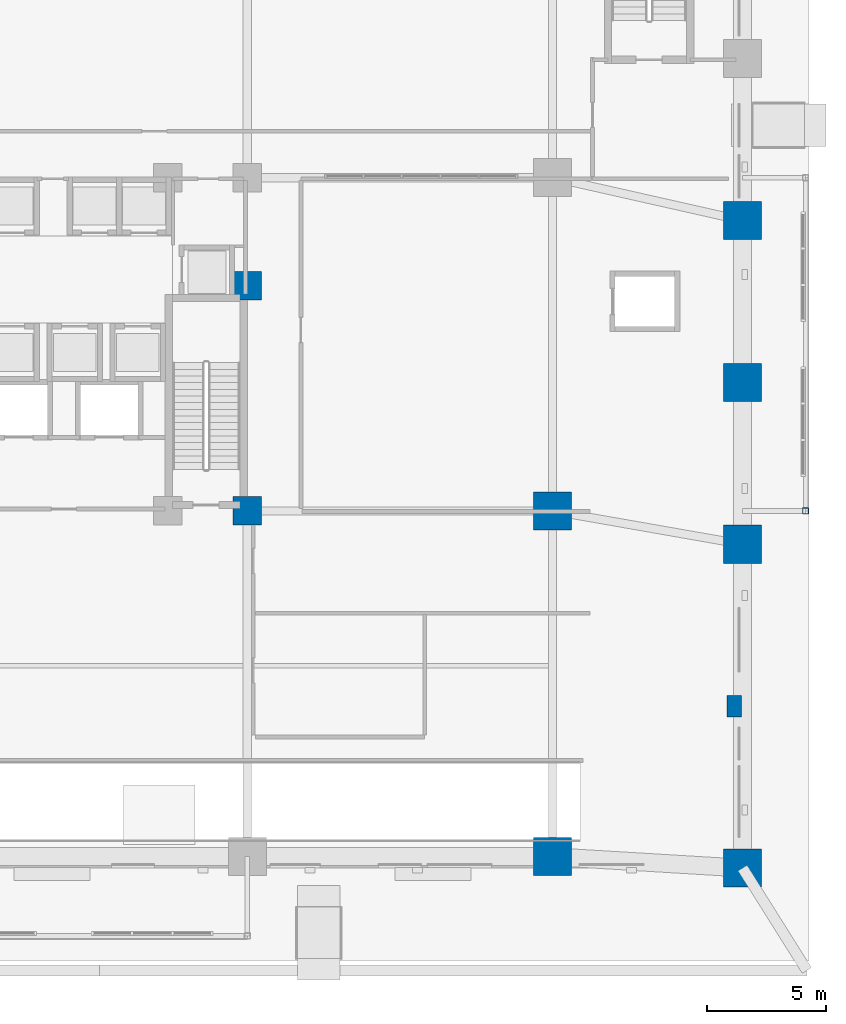
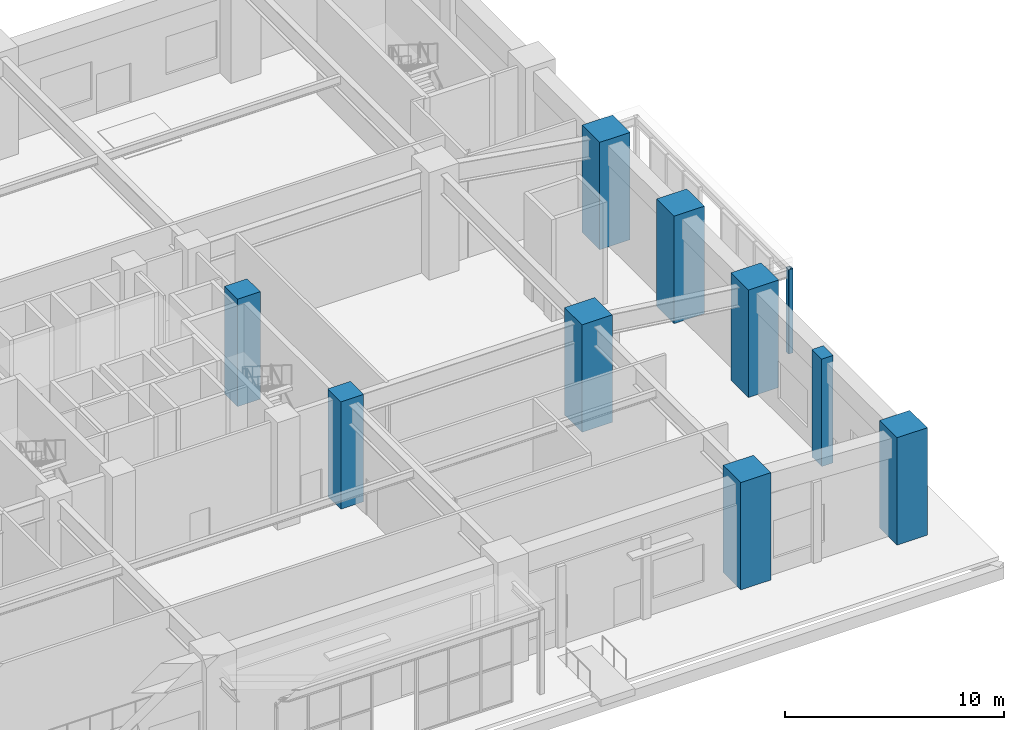
# One storey, part 3 of 24: 10 columns.
"""IFC4 building model written with IfcOpenShell, lengths in metres."""

from ifc_helpers import new_model, si_unit, derived_unit, direction, frame, origin, origin_2d, place, context, subcontext, project, spatial, rectangle, hollow_rectangle, extrude, material, material_profile, profile_set, type_object, element, save


model = new_model("IFC4")

# Units and contexts
model_context = context("Model", 3, precision=1e-05, world=origin(), true_north=direction((0.0, 1.0)))
body_context = subcontext(model_context, "Body", "Model", "MODEL_VIEW")
ifc_project = project(units=[si_unit("LENGTHUNIT", "METRE"), si_unit("AREAUNIT", "SQUARE_METRE"), si_unit("VOLUMEUNIT", "CUBIC_METRE"), si_unit("PLANEANGLEUNIT", "RADIAN"), si_unit("MASSUNIT", "GRAM", prefix="KILO"), derived_unit("THERMALTRANSMITTANCEUNIT", [(si_unit("MASSUNIT", "GRAM", prefix="KILO"), 1), (si_unit("TIMEUNIT", "SECOND"), -3), (si_unit("THERMODYNAMICTEMPERATUREUNIT", "KELVIN"), -1)])], contexts=[model_context])

# Site, building, storey
site_placement = place(None, origin())
site = spatial("IfcSite", under=ifc_project, at=site_placement, CompositionType="ELEMENT")
building_placement = place(site_placement, origin())
building = spatial("IfcBuilding", under=site, at=building_placement, Name="Korrvale Station Residences", CompositionType="ELEMENT")
storey_placement = place(building_placement, origin())
storey = spatial("IfcBuildingStorey", under=building, at=storey_placement, Name="L00", CompositionType="ELEMENT", Elevation=0.0)

# Columns
ifc_material_1 = material(Name="Steel S355", Category="steel")
ifc_material_profile_1 = material_profile(ifc_material_1, hollow_rectangle(XDim=0.25390625, YDim=0.25390625, WallThickness=0.0126953125, InnerFilletRadius=0.0126953125, OuterFilletRadius=0.025390625, at=origin_2d()), Name="HSS254x254x13")
ifc_profile_set_1 = profile_set([ifc_material_profile_1], Name="Steel S355")
column_type_1 = type_object("IfcColumnType", Name="COL-C-HSS254x254x13-S355", PredefinedType="COLUMN", material=ifc_profile_set_1)
column_1_placement = place(storey_placement, frame((56.64990234375, 15.0, 0.0), z_axis=(0.0, 0.0, 1.0), x_axis=(1.0, 0.0, 0.0)))
element("IfcColumn", 1, at=column_1_placement, inside=storey, type_object=column_type_1, Name="L00 East Canopy Portal Post 1", PredefinedType="COLUMN", context=body_context, shape_type="SweptSolid", body=[
    extrude(hollow_rectangle(XDim=0.25390625, YDim=0.25390625, WallThickness=0.0126953125, InnerFilletRadius=0.0126953125, OuterFilletRadius=0.025390625, at=origin_2d()), origin(), (0.0, 0.0, 1.0), 4.699951171875),
])
ifc_material_2 = material(Name="Concrete C70/85", Category="concrete")
ifc_material_profile_2 = material_profile(ifc_material_2, rectangle(XDim=1.199951171875, YDim=1.199951171875, at=origin_2d()), Name="RC1200x1200")
ifc_profile_set_2 = profile_set([ifc_material_profile_2], Name="Concrete C70/85")
column_type_2 = type_object("IfcColumnType", Name="COL-C-RC1200x1200-C7085", PredefinedType="COLUMN", material=ifc_profile_set_2)
for number, where, z_axis, x_axis, name in (
    (2, (33.199951171875, 15.0, 0.0), (0.0, 0.0, 1.0), (1.0, 0.0, 0.0), "L00 Core Column 28"),
    (3, (33.199951171875, 24.449951171875, 0.0), (0.0, 0.0, 1.0), (1.0, 0.0, 0.0), "L00 Core Column 34"),
):
    element("IfcColumn", number, at=place(storey_placement, frame(where, z_axis=z_axis, x_axis=x_axis)), inside=storey, type_object=column_type_2, Name=name, PredefinedType="COLUMN", context=body_context, shape_type="SweptSolid", body=[
        extrude(rectangle(XDim=1.199951171875, YDim=1.199951171875, at=origin_2d()), origin(), (0.0, 0.0, 1.0), 6.0),
    ])
ifc_material_profile_3 = material_profile(ifc_material_2, rectangle(XDim=1.60009765625, YDim=1.60009765625, at=origin_2d()), Name="RC1600x1600")
ifc_profile_set_3 = profile_set([ifc_material_profile_3], Name="Concrete C70/85")
column_type_3 = type_object("IfcColumnType", Name="COL-C-RC1600x1600-C7085", PredefinedType="COLUMN", material=ifc_profile_set_3)
for number, where, z_axis, x_axis, name in (
    (4, (54.0, 0.0, 0.0), (0.0, 0.0, 1.0), (1.0, 0.0, 0.0), "L00 Station Mega-Column 07"),
    (5, (54.0, 13.60009765625, 0.0), (0.0, 0.0, 1.0), (1.0, 0.0, 0.0), "L00 Station Mega-Column 08"),
    (6, (54.0, 20.39990234375, 0.0), (0.0, 0.0, 1.0), (1.0, 0.0, 0.0), "L00 Station Mega-Column 09"),
    (7, (54.0, 27.199951171875, 0.0), (0.0, 0.0, 1.0), (1.0, 0.0, 0.0), "L00 Station Mega-Column 10"),
    (8, (46.02001953125, 0.47998046875, 0.0), (0.0, 0.0, 1.0), (1.0, 0.0, 0.0), "L00 Station Mega-Column 17"),
    (9, (46.02001953125, 15.0, 0.0), (0.0, 0.0, 1.0), (1.0, 0.0, 0.0), "L00 Station Mega-Column 18"),
):
    element("IfcColumn", number, at=place(storey_placement, frame(where, z_axis=z_axis, x_axis=x_axis)), inside=storey, type_object=column_type_3, Name=name, PredefinedType="COLUMN", context=body_context, shape_type="SweptSolid", body=[
        extrude(rectangle(XDim=1.60009765625, YDim=1.60009765625, at=origin_2d()), origin(), (0.0, 0.0, 1.0), 6.0),
    ])
ifc_material_profile_4 = material_profile(ifc_material_2, rectangle(XDim=0.60009765625, YDim=0.89990234375, at=origin_2d()), Name="RC600x900")
ifc_profile_set_4 = profile_set([ifc_material_profile_4], Name="Concrete C70/85")
column_type_4 = type_object("IfcColumnType", Name="COL-PIL-RC600x900-C7085", PredefinedType="PILASTER", material=ifc_profile_set_4)
column_2_placement = place(storey_placement, frame((53.64990234375, 6.800048828125, 0.0), z_axis=(0.0, 0.0, 1.0), x_axis=(1.0, 0.0, 0.0)))
element("IfcColumn", 10, at=column_2_placement, inside=storey, type_object=column_type_4, Name="L00 Concourse Portal Wall Pilaster 3", PredefinedType="PILASTER", context=body_context, shape_type="SweptSolid", body=[
    extrude(rectangle(XDim=0.60009765625, YDim=0.89990234375, at=origin_2d()), origin(), (0.0, 0.0, 1.0), 6.0),
])

save(model, "model.ifc")
